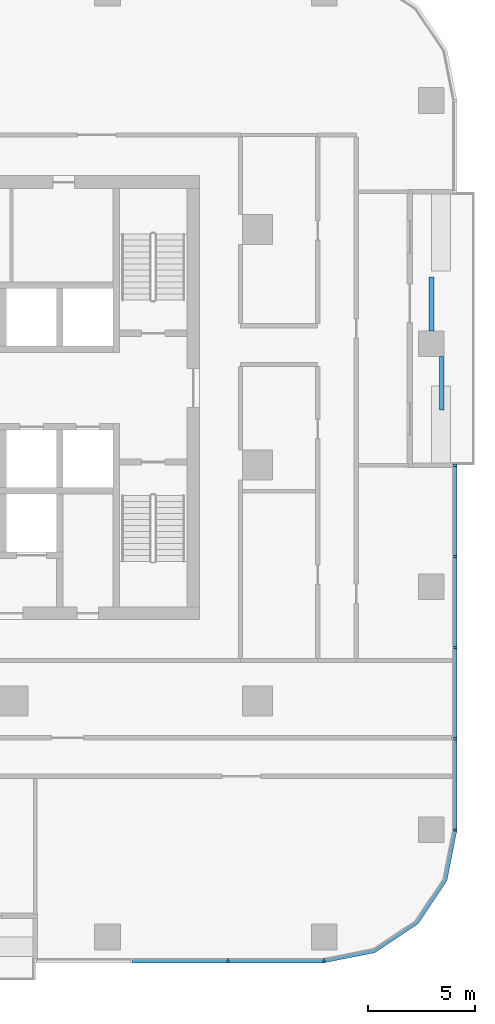
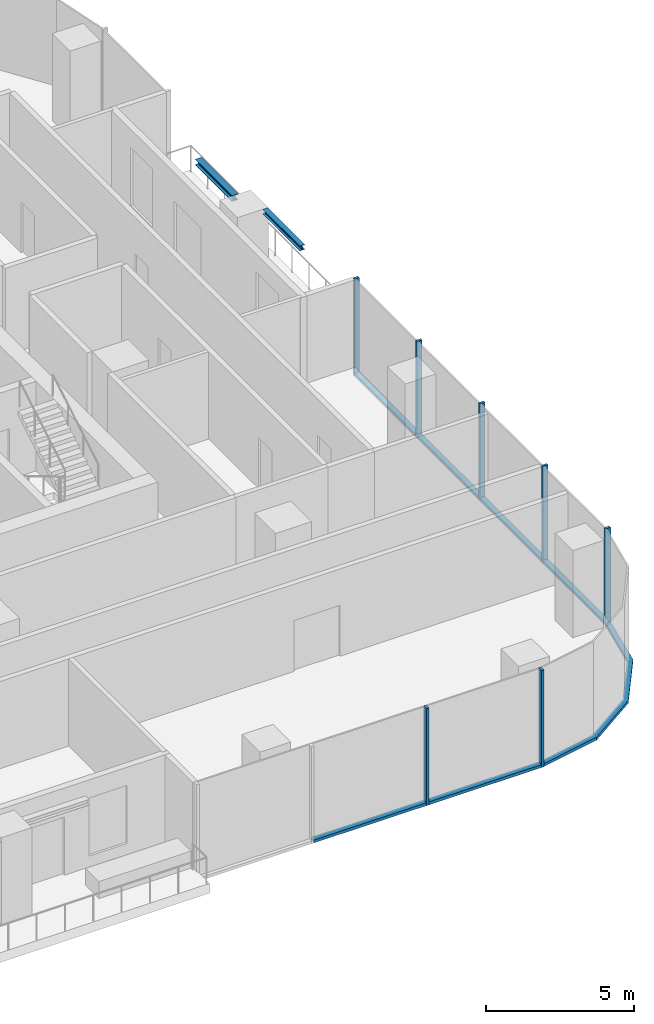
# One storey, part 3 of 14: 14 members, 2 beams, 3 elements without a shape of their own.
"""IFC4 building model written with IfcOpenShell, lengths in metres."""

from ifc_helpers import new_model, si_unit, direction, frame, origin, origin_2d, place, context, subcontext, project, spatial, polyline, rectangle, i_section, outline, extrude, material, material_profile, profile_set, type_object, element, aggregate, save


model = new_model("IFC4")

# Units and contexts
model_context = context("Model", 3, precision=1e-05, world=origin(), true_north=direction((0.0, 1.0)))
body_context = subcontext(model_context, "Body", "Model", "MODEL_VIEW")
ifc_project = project(units=[si_unit("LENGTHUNIT", "METRE"), si_unit("AREAUNIT", "SQUARE_METRE"), si_unit("VOLUMEUNIT", "CUBIC_METRE"), si_unit("PLANEANGLEUNIT", "RADIAN"), si_unit("MASSUNIT", "GRAM", prefix="KILO")], contexts=[model_context])

# Site, building, storey
site_placement = place(None, origin())
site = spatial("IfcSite", under=ifc_project, at=site_placement, CompositionType="ELEMENT")
building_placement = place(site_placement, origin())
building = spatial("IfcBuilding", under=site, at=building_placement, Name="Mopane Tessera Tower", CompositionType="ELEMENT")
storey_placement = place(building_placement, frame((0.0, 0.0, 161.0)))
storey = spatial("IfcBuildingStorey", under=building, at=storey_placement, Name="L32", CompositionType="ELEMENT", Elevation=161.0)

# Curtain wall, members
ifc_material_1 = material(Name="Aluminium frame", Category="aluminium")
curtain_wall_type = type_object("IfcCurtainWallType", Name="Unitised curtain wall", PredefinedType="NOTDEFINED", material=ifc_material_1)
curtain_wall_1_placement = place(storey_placement, origin())
curtain_wall_1 = element("IfcCurtainWall", 1, at=curtain_wall_1_placement, inside=storey, type_object=curtain_wall_type, Name="e:cw:L32:S:6", PredefinedType="NOTDEFINED")
ifc_material_2 = material(Name="Aluminium frame", Category="aluminium")
ifc_material_profile_1 = material_profile(ifc_material_2, rectangle(XDim=0.10009765625, YDim=0.199951171875, at=origin_2d()))
ifc_profile_set_1 = profile_set([ifc_material_profile_1], Name="Aluminium frame")
member_type_1 = type_object("IfcMemberType", Name="Aluminium mullion 100 x 200", PredefinedType="MULLION", material=ifc_profile_set_1)
member_1_placement = place(storey_placement, frame((15.711181640625, -23.10009765625, -0.39990234375), z_axis=(0.0, 0.0, 1.0), x_axis=(1.0, 0.0, 0.0)))
member_1 = element("IfcMember", 2, at=member_1_placement, type_object=member_type_1, Name="e:cw:L32:S:6:mu8", PredefinedType="MULLION", context=body_context, shape_type="SweptSolid", body=[
    extrude(rectangle(XDim=0.10009765625, YDim=0.199951171875, at=origin_2d()), origin(), (0.0, 0.0, 1.0), 4.0),
])
member_2_placement = place(storey_placement, frame((20.199951171875, -23.10009765625, -0.39990234375), z_axis=(0.0, 0.0, 1.0), x_axis=(1.0, 0.0, 0.0)))
member_2 = element("IfcMember", 3, at=member_2_placement, type_object=member_type_1, Name="e:cw:L32:S:6:mu9", PredefinedType="MULLION", context=body_context, shape_type="SweptSolid", body=[
    extrude(rectangle(XDim=0.10009765625, YDim=0.199951171875, at=origin_2d()), origin(), (0.0, 0.0, 1.0), 4.0),
])

curtain_wall_2_placement = place(storey_placement, origin())
curtain_wall_2 = element("IfcCurtainWall", 4, at=curtain_wall_2_placement, inside=storey, type_object=curtain_wall_type, Name="e:cw:L32:E:0", PredefinedType="NOTDEFINED")
member_3_placement = place(storey_placement, frame((26.300048828125, -17.0, -0.39990234375), z_axis=(0.0, 0.0, 1.0), x_axis=(0.0, 1.0, 0.0)))
member_3 = element("IfcMember", 5, at=member_3_placement, type_object=member_type_1, Name="e:cw:L32:E:0:mu0", PredefinedType="MULLION", context=body_context, shape_type="SweptSolid", body=[
    extrude(rectangle(XDim=0.10009765625, YDim=0.199951171875, at=origin_2d()), origin(), (0.0, 0.0, 1.0), 4.0),
])
member_4_placement = place(storey_placement, frame((26.300048828125, -12.75, -0.39990234375), z_axis=(0.0, 0.0, 1.0), x_axis=(0.0, 1.0, 0.0)))
member_4 = element("IfcMember", 6, at=member_4_placement, type_object=member_type_1, Name="e:cw:L32:E:0:mu1", PredefinedType="MULLION", context=body_context, shape_type="SweptSolid", body=[
    extrude(rectangle(XDim=0.10009765625, YDim=0.199951171875, at=origin_2d()), origin(), (0.0, 0.0, 1.0), 4.0),
])
member_5_placement = place(storey_placement, frame((26.300048828125, -8.5, -0.39990234375), z_axis=(0.0, 0.0, 1.0), x_axis=(0.0, 1.0, 0.0)))
member_5 = element("IfcMember", 7, at=member_5_placement, type_object=member_type_1, Name="e:cw:L32:E:0:mu2", PredefinedType="MULLION", context=body_context, shape_type="SweptSolid", body=[
    extrude(rectangle(XDim=0.10009765625, YDim=0.199951171875, at=origin_2d()), origin(), (0.0, 0.0, 1.0), 4.0),
])
member_6_placement = place(storey_placement, frame((26.300048828125, -4.25, -0.39990234375), z_axis=(0.0, 0.0, 1.0), x_axis=(0.0, 1.0, 0.0)))
member_6 = element("IfcMember", 8, at=member_6_placement, type_object=member_type_1, Name="e:cw:L32:E:0:mu3", PredefinedType="MULLION", context=body_context, shape_type="SweptSolid", body=[
    extrude(rectangle(XDim=0.10009765625, YDim=0.199951171875, at=origin_2d()), origin(), (0.0, 0.0, 1.0), 4.0),
])
member_7_placement = place(storey_placement, frame((26.300048828125, 0.0, -0.39990234375), z_axis=(0.0, 0.0, 1.0), x_axis=(0.0, 1.0, 0.0)))
member_7 = element("IfcMember", 9, at=member_7_placement, type_object=member_type_1, Name="e:cw:L32:E:0:mu4", PredefinedType="MULLION", context=body_context, shape_type="SweptSolid", body=[
    extrude(rectangle(XDim=0.10009765625, YDim=0.199951171875, at=origin_2d()), origin(), (0.0, 0.0, 1.0), 4.0),
])

# Member
ifc_material_3 = material(Name="Aluminium frame", Category="aluminium")
ifc_material_profile_2 = material_profile(ifc_material_3, rectangle(XDim=0.199951171875, YDim=0.1201171875, at=origin_2d()))
ifc_profile_set_2 = profile_set([ifc_material_profile_2], Name="Aluminium frame")
member_type_2 = type_object("IfcMemberType", Name="Aluminium transom 200 x 120", PredefinedType="USERDEFINED", material=ifc_profile_set_2)
member_8_placement = place(storey_placement, frame((11.272216796875, -23.10009765625, -0.340087890625), z_axis=(1.0, 0.0, 0.0), x_axis=(0.0, 1.0, 0.0)))
member_8 = element("IfcMember", 10, at=member_8_placement, type_object=member_type_2, Name="e:cw:L32:S:6:tr7", ObjectType="TRANSOM", PredefinedType="USERDEFINED", context=body_context, shape_type="SweptSolid", body=[
    extrude(rectangle(XDim=0.199951171875, YDim=0.1201171875, at=origin_2d()), origin(), (0.0, 0.0, 1.0), 4.388916015625),
])

member_9_placement = place(storey_placement, frame((15.76123046875, -23.10009765625, -0.340087890625), z_axis=(1.0, 0.0, 0.0), x_axis=(0.0, 1.0, 0.0)))
member_9 = element("IfcMember", 11, at=member_9_placement, type_object=member_type_2, Name="e:cw:L32:S:6:tr8", ObjectType="TRANSOM", PredefinedType="USERDEFINED", context=body_context, shape_type="SweptSolid", body=[
    extrude(rectangle(XDim=0.199951171875, YDim=0.1201171875, at=origin_2d()), origin(), (0.0, 0.0, 1.0), 4.388671875),
])

aggregate(curtain_wall_1, [member_1, member_2, member_8, member_9])

# Curtain wall, member
curtain_wall_3_placement = place(storey_placement, origin())
curtain_wall_3 = element("IfcCurtainWall", 12, at=curtain_wall_3_placement, inside=storey, type_object=curtain_wall_type, Name="e:cw:L32:CS", PredefinedType="NOTDEFINED")
member_10_placement = place(storey_placement, frame((0.0, 0.0, -0.39990234375)))
member_10 = element("IfcMember", 13, at=member_10_placement, type_object=member_type_2, Name="e:cw:L32:CS:tr", ObjectType="TRANSOM", PredefinedType="USERDEFINED", context=body_context, shape_type="SweptSolid", body=[
    extrude(outline(polyline([(20.199951171875, -23.0), (22.49609375, -22.543212890625), (24.442626953125, -21.24267578125), (25.7431640625, -19.296142578125), (26.199951171875, -17.0), (26.39990234375, -17.0), (25.927978515625, -19.37255859375), (24.583984375, -21.384033203125), (22.57275390625, -22.72802734375), (20.199951171875, -23.199951171875), (20.199951171875, -23.0)])), origin(), (0.0, 0.0, 1.0), 0.119873046875),
])
aggregate(curtain_wall_3, [member_10])

# Member
member_11_placement = place(storey_placement, frame((26.300048828125, -16.949951171875, -0.340087890625), z_axis=(0.0, 1.0, 0.0), x_axis=(-1.0, 0.0, 0.0)))
member_11 = element("IfcMember", 14, at=member_11_placement, type_object=member_type_2, Name="e:cw:L32:E:0:tr0", ObjectType="TRANSOM", PredefinedType="USERDEFINED", context=body_context, shape_type="SweptSolid", body=[
    extrude(rectangle(XDim=0.199951171875, YDim=0.1201171875, at=origin_2d()), origin(), (0.0, 0.0, 1.0), 4.14990234375),
])

member_12_placement = place(storey_placement, frame((26.300048828125, -12.699951171875, -0.340087890625), z_axis=(0.0, 1.0, 0.0), x_axis=(-1.0, 0.0, 0.0)))
member_12 = element("IfcMember", 15, at=member_12_placement, type_object=member_type_2, Name="e:cw:L32:E:0:tr1", ObjectType="TRANSOM", PredefinedType="USERDEFINED", context=body_context, shape_type="SweptSolid", body=[
    extrude(rectangle(XDim=0.199951171875, YDim=0.1201171875, at=origin_2d()), origin(), (0.0, 0.0, 1.0), 4.14990234375),
])

member_13_placement = place(storey_placement, frame((26.300048828125, -8.449951171875, -0.340087890625), z_axis=(0.0, 1.0, 0.0), x_axis=(-1.0, 0.0, 0.0)))
member_13 = element("IfcMember", 16, at=member_13_placement, type_object=member_type_2, Name="e:cw:L32:E:0:tr2", ObjectType="TRANSOM", PredefinedType="USERDEFINED", context=body_context, shape_type="SweptSolid", body=[
    extrude(rectangle(XDim=0.199951171875, YDim=0.1201171875, at=origin_2d()), origin(), (0.0, 0.0, 1.0), 4.14990234375),
])

member_14_placement = place(storey_placement, frame((26.300048828125, -4.199951171875, -0.340087890625), z_axis=(0.0, 1.0, 0.0), x_axis=(-1.0, 0.0, 0.0)))
member_14 = element("IfcMember", 17, at=member_14_placement, type_object=member_type_2, Name="e:cw:L32:E:0:tr3", ObjectType="TRANSOM", PredefinedType="USERDEFINED", context=body_context, shape_type="SweptSolid", body=[
    extrude(rectangle(XDim=0.199951171875, YDim=0.1201171875, at=origin_2d()), origin(), (0.0, 0.0, 1.0), 4.14990234375),
])

aggregate(curtain_wall_2, [member_3, member_4, member_5, member_6, member_7, member_11, member_12, member_13, member_14])

# Beams
ifc_material_4 = material(Name="Structural steel S460", Category="steel")
ifc_material_profile_3 = material_profile(ifc_material_4, i_section(OverallWidth=0.239990234375, OverallDepth=0.239990234375, WebThickness=0.010009765625, FlangeThickness=0.01708984375, FilletRadius=0.02099609375, at=origin_2d()))
ifc_profile_set_3 = profile_set([ifc_material_profile_3], Name="Structural steel S460")
beam_type_1 = type_object("IfcBeamType", Name="Terrace spandrel beam HE 240 B", PredefinedType="SPANDREL", material=ifc_profile_set_3)
beam_1_placement = place(storey_placement, frame((25.199951171875, 6.269775390625, 3.47998046875), z_axis=(0.0, 1.0, 0.0), x_axis=(-1.0, 0.0, 0.0)))
element("IfcBeam", 18, at=beam_1_placement, inside=storey, type_object=beam_type_1, Name="Terrace spandrel beam N3 L33", PredefinedType="SPANDREL", context=body_context, shape_type="SweptSolid", body=[
    extrude(i_section(OverallWidth=0.239990234375, OverallDepth=0.239990234375, WebThickness=0.010009765625, FlangeThickness=0.01708984375, FilletRadius=0.02099609375, at=origin_2d()), origin(), (0.0, 0.0, 1.0), 2.5),
])
ifc_material_5 = material(Name="Structural steel S460", Category="steel")
ifc_material_profile_4 = material_profile(ifc_material_5, i_section(OverallWidth=0.199951171875, OverallDepth=0.199951171875, WebThickness=0.009033203125, FlangeThickness=0.014892578125, FilletRadius=0.01806640625, at=origin_2d()))
ifc_profile_set_4 = profile_set([ifc_material_profile_4], Name="Structural steel S460")
beam_type_2 = type_object("IfcBeamType", Name="Terrace trimmer beam HE 200 B", PredefinedType="BEAM", material=ifc_profile_set_4)
beam_2_placement = place(storey_placement, frame((25.679931640625, 5.063720703125, 3.5), z_axis=(0.0, -1.0, 0.0), x_axis=(1.0, 0.0, 0.0)))
element("IfcBeam", 19, at=beam_2_placement, inside=storey, type_object=beam_type_2, Name="Terrace trimmer beam N3 L33", PredefinedType="BEAM", context=body_context, shape_type="SweptSolid", body=[
    extrude(i_section(OverallWidth=0.199951171875, OverallDepth=0.199951171875, WebThickness=0.009033203125, FlangeThickness=0.014892578125, FilletRadius=0.01806640625, at=origin_2d()), origin(), (0.0, 0.0, 1.0), 2.5),
])

save(model, "model.ifc")
